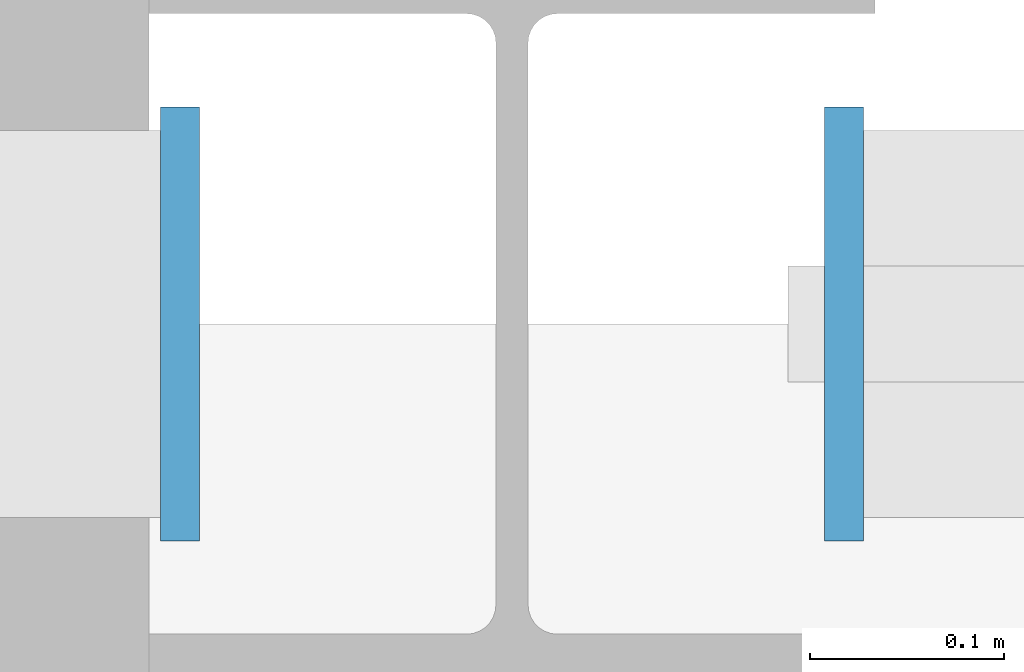
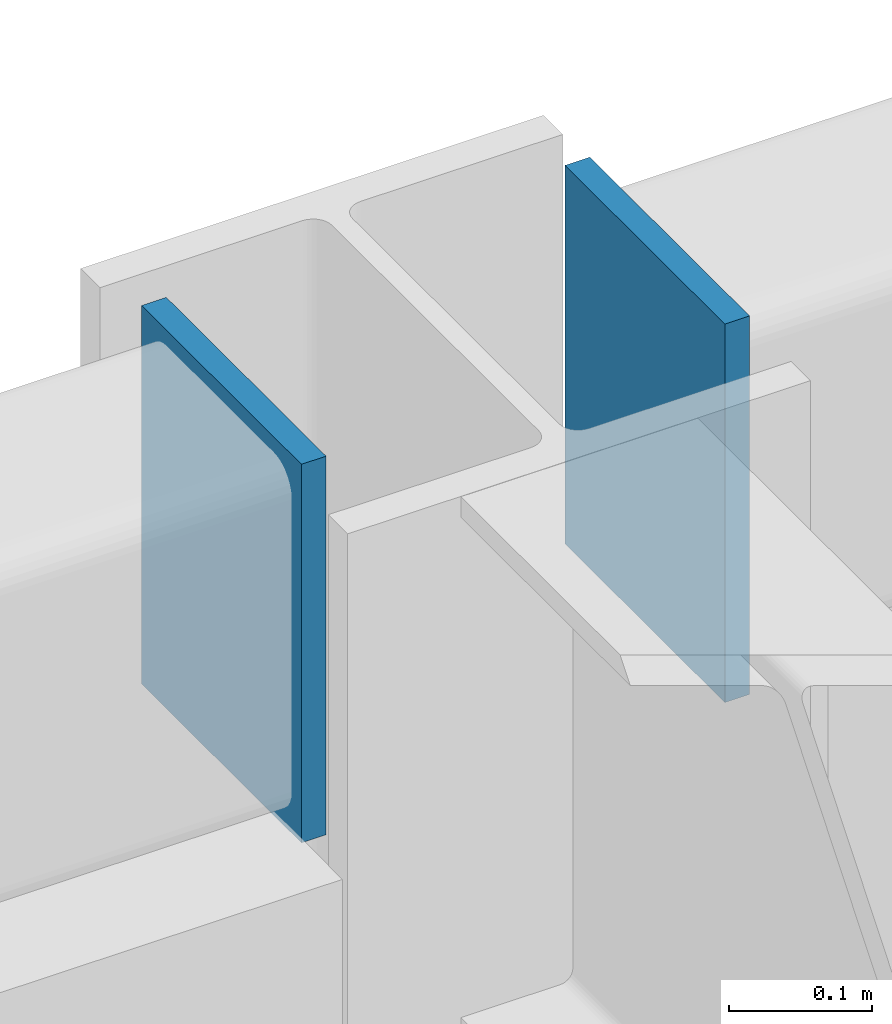
# One storey, part 82 of 96: 2 discrete accessories.
"""IFC4 building model written with IfcOpenShell, lengths in metres."""

from ifc_helpers import new_model, si_unit, direction, frame, origin, origin_2d, place, context, subcontext, project, spatial, rectangle, extrude, material, layer, layer_set, type_object, element, save


model = new_model("IFC4")

# Units and contexts
model_context = context("Model", 3, precision=1e-05, world=origin(), true_north=direction((0.0, 1.0)))
body_context = subcontext(model_context, "Body", "Model", "MODEL_VIEW")
ifc_project = project(units=[si_unit("LENGTHUNIT", "METRE"), si_unit("AREAUNIT", "SQUARE_METRE"), si_unit("VOLUMEUNIT", "CUBIC_METRE"), si_unit("PLANEANGLEUNIT", "RADIAN"), si_unit("MASSUNIT", "GRAM", prefix="KILO")], contexts=[model_context])

# Site, building, storey
site_placement = place(None, origin())
site = spatial("IfcSite", under=ifc_project, at=site_placement, CompositionType="ELEMENT")
building_placement = place(site_placement, origin())
building = spatial("IfcBuilding", under=site, at=building_placement, Name="Kranzveld Transit Interchange", CompositionType="ELEMENT")
storey_placement = place(building_placement, frame((0.0, 0.0, 9.52001953125)))
storey = spatial("IfcBuildingStorey", under=building, at=storey_placement, Name="L02", CompositionType="ELEMENT", Elevation=9.52001953125)

# Discrete accessories
ifc_material = material(Name="Steel S355JR", Category="steel")
ifc_layer = layer(ifc_material, 0.02001953125)
ifc_layer_set = layer_set([ifc_layer], Name="Steel S355JR")
discrete_accessory_type = type_object("IfcDiscreteAccessoryType", Name="Hollow Section End Cap Bracket 20 S355JR", PredefinedType="BRACKET", material=ifc_layer_set)
for number, where, z_axis, x_axis, name in (
    (1, (125.818603515625, 112.0, 3.419921875), (1.0, 0.0, 0.0), (0.0, 1.0, 0.0), "Hollow Section End Cap SP-RHS300-2"),
    (2, (126.181396484375, 112.0, 3.419921875), (-1.0, 0.0, 0.0), (0.0, -1.0, 0.0), "Hollow Section End Cap SP-RHS300-1"),
):
    element("IfcDiscreteAccessory", number, at=place(storey_placement, frame(where, z_axis=z_axis, x_axis=x_axis)), inside=storey, type_object=discrete_accessory_type, Name=name, PredefinedType="BRACKET", context=body_context, shape_type="SweptSolid", body=[
        extrude(rectangle(XDim=0.22412109375, YDim=0.323974609375, at=origin_2d()), origin(), (0.0, 0.0, 1.0), 0.02001953125),
    ])

save(model, "model.ifc")
